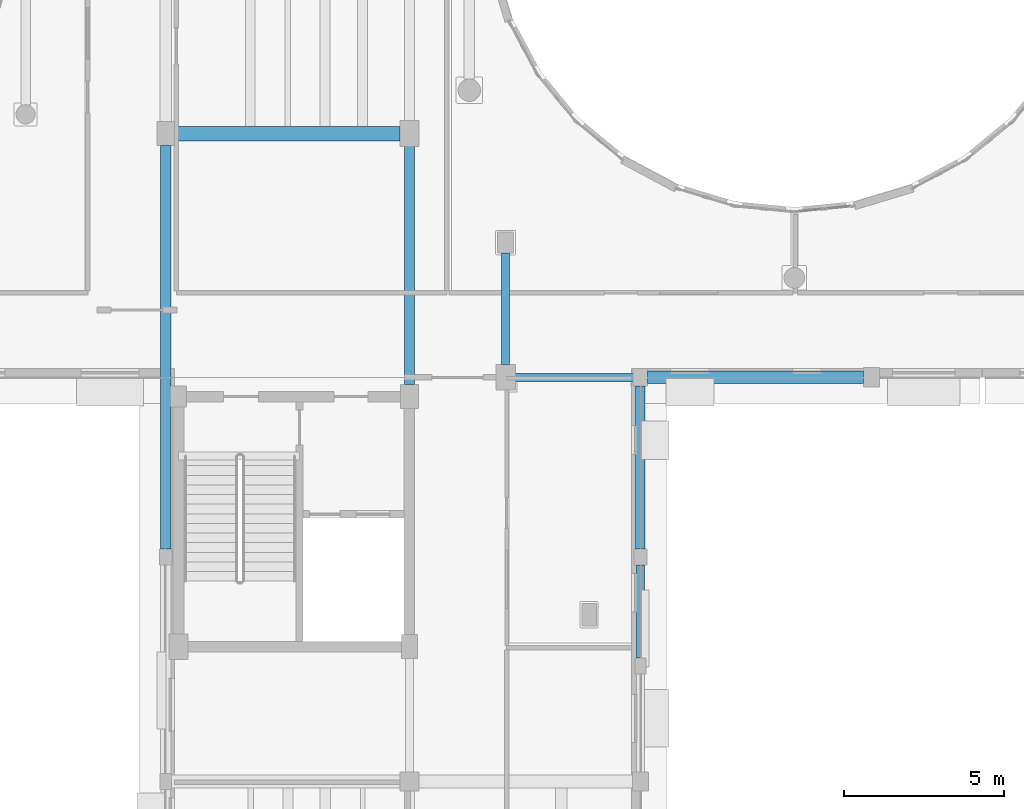
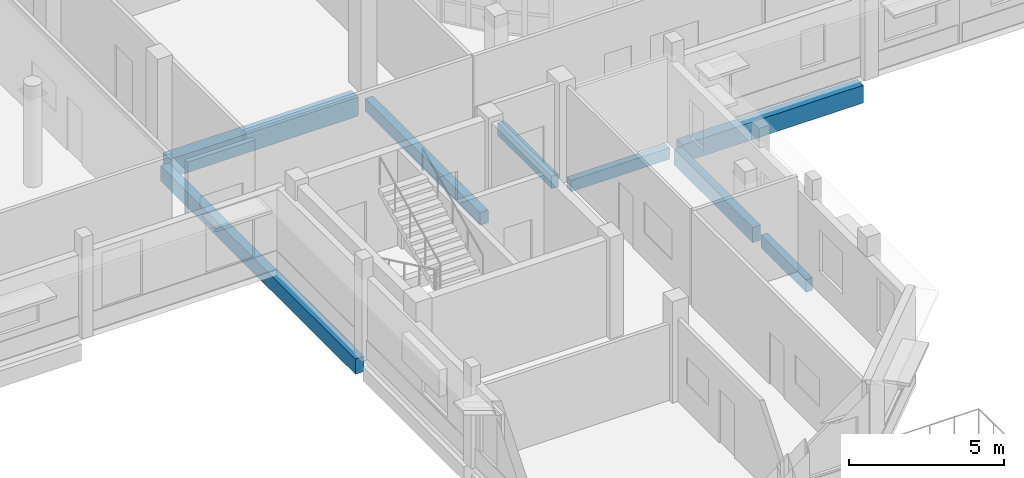
# One storey, part 26 of 92: 8 beams.
"""IFC4 building model written with IfcOpenShell, lengths in metres."""

from ifc_helpers import new_model, si_unit, direction, frame, origin, origin_2d, place, context, subcontext, project, spatial, rectangle, extrude, material, material_profile, profile_set, type_object, element, save


model = new_model("IFC4")

# Units and contexts
model_context = context("Model", 3, precision=1e-05, world=origin(), true_north=direction((0.0, 1.0)))
body_context = subcontext(model_context, "Body", "Model", "MODEL_VIEW")
ifc_project = project(units=[si_unit("LENGTHUNIT", "METRE"), si_unit("AREAUNIT", "SQUARE_METRE"), si_unit("VOLUMEUNIT", "CUBIC_METRE"), si_unit("PLANEANGLEUNIT", "RADIAN"), si_unit("MASSUNIT", "GRAM", prefix="KILO")], contexts=[model_context])

# Site, building, storey
site_placement = place(None, origin())
site = spatial("IfcSite", under=ifc_project, at=site_placement, CompositionType="ELEMENT")
building_placement = place(site_placement, origin())
building = spatial("IfcBuilding", under=site, at=building_placement, Name="Kelanivale Promenade Academy", CompositionType="ELEMENT")
storey_placement = place(building_placement, frame((0.0, 0.0, 8.199951171875)))
storey = spatial("IfcBuildingStorey", under=building, at=storey_placement, Name="L02", CompositionType="ELEMENT", Elevation=8.199951171875)

# Beams
ifc_material = material(Name="Concrete C35/45", Category="concrete")
ifc_material_profile_1 = material_profile(ifc_material, rectangle(XDim=0.39990234375, YDim=0.699951171875, at=origin_2d()), Name="RC-BM 400x700")
ifc_profile_set_1 = profile_set([ifc_material_profile_1], Name="Concrete C35/45")
beam_type_1 = type_object("IfcBeamType", Name="BM-02 RC-BM 400x700", PredefinedType="BEAM", material=ifc_profile_set_1)
beam_1_placement = place(storey_placement, frame((94.219970703125, 42.0, -0.570068359375), z_axis=(1.0, 0.0, 0.0), x_axis=(0.0, 1.0, 0.0)))
element("IfcBeam", 1, at=beam_1_placement, inside=storey, type_object=beam_type_1, Name="L02 girder BM-02", PredefinedType="BEAM", context=body_context, shape_type="SweptSolid", body=[
    extrude(rectangle(XDim=0.39990234375, YDim=0.699951171875, at=origin_2d()), origin(), (0.0, 0.0, 1.0), 6.735107421875),
])
ifc_material_profile_2 = material_profile(ifc_material, rectangle(XDim=0.449951171875, YDim=0.75, at=origin_2d()), Name="RC-BM 450x750")
ifc_profile_set_2 = profile_set([ifc_material_profile_2], Name="Concrete C35/45")
beam_type_2 = type_object("IfcBeamType", Name="BM-04 RC-BM 450x750", PredefinedType="BEAM", material=ifc_profile_set_2)
beam_2_placement = place(storey_placement, frame((79.469970703125, 49.60009765625, -0.594970703125), z_axis=(1.0, 0.0, 0.0), x_axis=(0.0, 1.0, 0.0)))
element("IfcBeam", 2, at=beam_2_placement, inside=storey, type_object=beam_type_2, Name="L02 girder BM-04", PredefinedType="BEAM", context=body_context, shape_type="SweptSolid", body=[
    extrude(rectangle(XDim=0.449951171875, YDim=0.75, at=origin_2d()), origin(), (0.0, 0.0, 1.0), 7.034912109375),
])
ifc_material_profile_3 = material_profile(ifc_material, rectangle(XDim=0.300048828125, YDim=0.5, at=origin_2d()), Name="RC-BM 300x500")
ifc_profile_set_3 = profile_set([ifc_material_profile_3], Name="Concrete C35/45")
beam_type_3 = type_object("IfcBeamType", Name="JS-01 RC-BM 300x500", PredefinedType="JOIST", material=ifc_profile_set_3)
beam_3_placement = place(storey_placement, frame((86.800048828125, 41.77001953125, -0.469970703125), z_axis=(0.0, 1.0, 0.0), x_axis=(-1.0, 0.0, 0.0)))
element("IfcBeam", 3, at=beam_3_placement, inside=storey, type_object=beam_type_3, Name="L02 beam JS-01", PredefinedType="JOIST", context=body_context, shape_type="SweptSolid", body=[
    extrude(rectangle(XDim=0.300048828125, YDim=0.5, at=origin_2d()), origin(), (0.0, 0.0, 1.0), 7.43505859375),
])
ifc_material_profile_4 = material_profile(ifc_material, rectangle(XDim=0.300048828125, YDim=0.60009765625, at=origin_2d()), Name="RC-BM 300x600")
ifc_profile_set_4 = profile_set([ifc_material_profile_4], Name="Concrete C35/45")
beam_type_4 = type_object("IfcBeamType", Name="JS-03 RC-BM 300x600", PredefinedType="JOIST", material=ifc_profile_set_4)
beam_4_placement = place(storey_placement, frame((94.0, 36.64501953125, -0.52001953125), z_axis=(0.0, 1.0, 0.0), x_axis=(-1.0, 0.0, 0.0)))
element("IfcBeam", 4, at=beam_4_placement, inside=storey, type_object=beam_type_4, Name="L02 beam JS-03", PredefinedType="JOIST", context=body_context, shape_type="SweptSolid", body=[
    extrude(rectangle(XDim=0.300048828125, YDim=0.60009765625, at=origin_2d()), origin(), (0.0, 0.0, 1.0), 5.0849609375),
])
ifc_material_profile_5 = material_profile(ifc_material, rectangle(XDim=0.320068359375, YDim=0.60009765625, at=origin_2d()), Name="RC-BM 320x600")
ifc_profile_set_5 = profile_set([ifc_material_profile_5], Name="Concrete C35/45")
beam_type_5 = type_object("IfcBeamType", Name="JS-05 RC-BM 320x600", PredefinedType="JOIST", material=ifc_profile_set_5)
beam_5_placement = place(storey_placement, frame((79.199951171875, 36.64501953125, -0.52001953125), z_axis=(0.0, 1.0, 0.0), x_axis=(-1.0, 0.0, 0.0)))
element("IfcBeam", 5, at=beam_5_placement, inside=storey, type_object=beam_type_5, Name="L02 beam JS-05", PredefinedType="JOIST", context=body_context, shape_type="SweptSolid", body=[
    extrude(rectangle(XDim=0.320068359375, YDim=0.60009765625, at=origin_2d()), origin(), (0.0, 0.0, 1.0), 12.5849609375),
])
ifc_material_profile_6 = material_profile(ifc_material, rectangle(XDim=0.25, YDim=0.449951171875, at=origin_2d()), Name="RC-BM 250x450")
ifc_profile_set_6 = profile_set([ifc_material_profile_6], Name="Concrete C35/45")
beam_type_6 = type_object("IfcBeamType", Name="LN-01 RC-BM 250x450", PredefinedType="LINTEL", material=ifc_profile_set_6)
beam_6_placement = place(storey_placement, frame((90.094970703125, 42.0, -0.445068359375), z_axis=(1.0, 0.0, 0.0), x_axis=(0.0, 1.0, 0.0)))
element("IfcBeam", 6, at=beam_6_placement, inside=storey, type_object=beam_type_6, Name="L02 girder LN-01", PredefinedType="LINTEL", context=body_context, shape_type="SweptSolid", body=[
    extrude(rectangle(XDim=0.25, YDim=0.449951171875, at=origin_2d()), origin(), (0.0, 0.0, 1.0), 3.68505859375),
])
ifc_material_profile_7 = material_profile(ifc_material, rectangle(XDim=0.25, YDim=0.5, at=origin_2d()), Name="RC-BM 250x500")
ifc_profile_set_7 = profile_set([ifc_material_profile_7], Name="Concrete C35/45")
beam_type_7 = type_object("IfcBeamType", Name="LN-02 RC-BM 250x500", PredefinedType="LINTEL", material=ifc_profile_set_7)
beam_7_placement = place(storey_placement, frame((89.800048828125, 42.39501953125, -0.469970703125), z_axis=(0.0, 1.0, 0.0), x_axis=(-1.0, 0.0, 0.0)))
element("IfcBeam", 7, at=beam_7_placement, inside=storey, type_object=beam_type_7, Name="L02 beam LN-02", PredefinedType="LINTEL", context=body_context, shape_type="SweptSolid", body=[
    extrude(rectangle(XDim=0.25, YDim=0.5, at=origin_2d()), origin(), (0.0, 0.0, 1.0), 3.48486328125),
])
beam_8_placement = place(storey_placement, frame((94.0, 33.2451171875, -0.469970703125), z_axis=(0.0, 1.0, 0.0), x_axis=(-1.0, 0.0, 0.0)))
element("IfcBeam", 8, at=beam_8_placement, inside=storey, type_object=beam_type_7, Name="L02 beam LN-02", PredefinedType="LINTEL", context=body_context, shape_type="SweptSolid", body=[
    extrude(rectangle(XDim=0.25, YDim=0.5, at=origin_2d()), origin(), (0.0, 0.0, 1.0), 2.909912109375),
])

save(model, "model.ifc")
